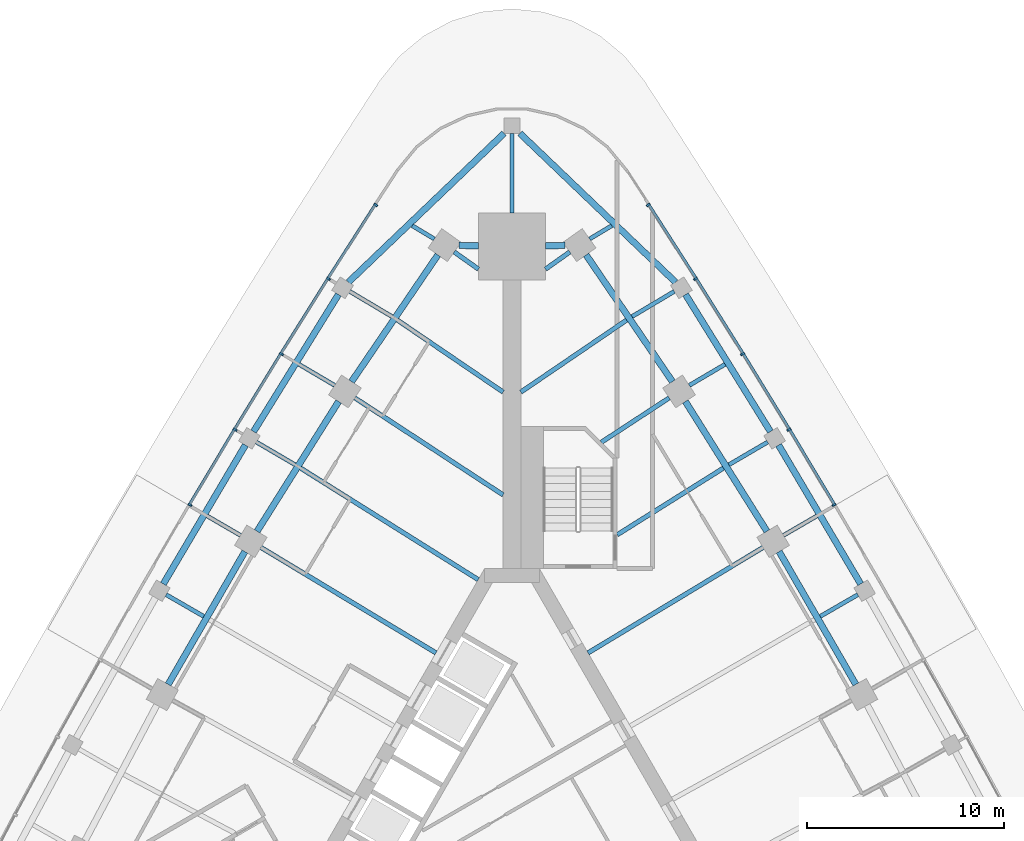
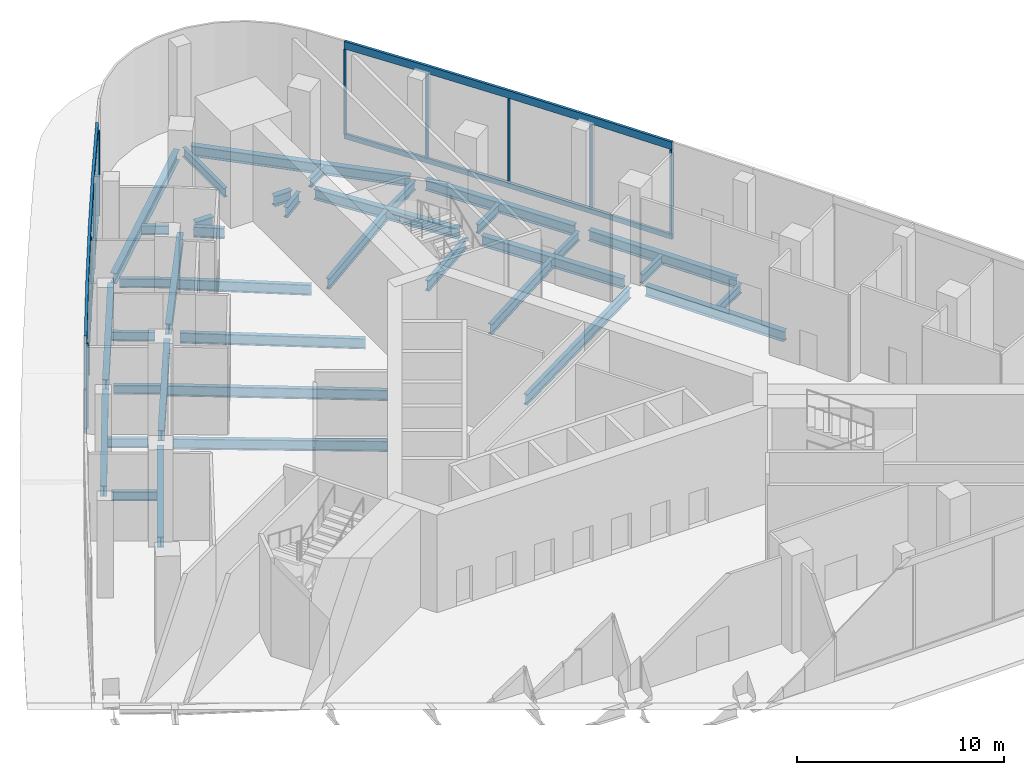
# One storey, part 4 of 14: 37 beams, 14 members, 2 elements without a shape of their own.
"""IFC4 building model written with IfcOpenShell, lengths in metres."""

from ifc_helpers import new_model, si_unit, direction, frame, origin, origin_2d, place, context, subcontext, project, spatial, polyline, rectangle, i_section, outline, extrude, material, material_profile, profile_set, type_object, element, aggregate, save


model = new_model("IFC4")

# Units and contexts
model_context = context("Model", 3, precision=1e-05, world=origin(), true_north=direction((0.0, 1.0)))
body_context = subcontext(model_context, "Body", "Model", "MODEL_VIEW")
ifc_project = project(units=[si_unit("LENGTHUNIT", "METRE"), si_unit("AREAUNIT", "SQUARE_METRE"), si_unit("VOLUMEUNIT", "CUBIC_METRE"), si_unit("PLANEANGLEUNIT", "RADIAN"), si_unit("MASSUNIT", "GRAM", prefix="KILO")], contexts=[model_context])

# Site, building, storey
site_placement = place(None, origin())
site = spatial("IfcSite", under=ifc_project, at=site_placement, CompositionType="ELEMENT")
building_placement = place(site_placement, origin())
building = spatial("IfcBuilding", under=site, at=building_placement, Name="Noor Cloister Tower", CompositionType="ELEMENT")
storey_placement = place(building_placement, origin())
storey = spatial("IfcBuildingStorey", under=building, at=storey_placement, Name="L00", CompositionType="ELEMENT", Elevation=0.0)

# Curtain wall, member
ifc_material_1 = material(Name="Aluminium 6063-T6 anodised", Category="aluminium")
curtain_wall_type = type_object("IfcCurtainWallType", Name="Station shopfront CW4", PredefinedType="NOTDEFINED", material=ifc_material_1)
curtain_wall_1_placement = place(storey_placement, origin())
curtain_wall_1 = element("IfcCurtainWall", 1, at=curtain_wall_1_placement, inside=storey, type_object=curtain_wall_type, Name="CW4 L00 NW shopfront 1", PredefinedType="NOTDEFINED")
ifc_material_2 = material(Name="Aluminium 6063-T6 anodised", Category="aluminium")
member_type_1 = type_object("IfcMemberType", Name="Head transom CW4 450", PredefinedType="USERDEFINED", material=ifc_material_2)
member_1_placement = place(storey_placement, frame((0.0, 0.0, 5.300048828125)))
member_1 = element("IfcMember", 2, at=member_1_placement, type_object=member_type_1, Name="CW4 head transom", ObjectType="TRANSOM", PredefinedType="USERDEFINED", context=body_context, shape_type="SweptSolid", body=[
    extrude(outline(polyline([(-6.96728515625, 29.991943359375), (-9.394775390625, 26.202880859375), (-11.783447265625, 22.38916015625), (-14.1328125, 18.551025390625), (-16.4423828125, 14.689208984375), (-16.322265625, 14.6171875), (-14.012939453125, 18.478515625), (-11.664306640625, 22.3154296875), (-9.276611328125, 26.1279296875), (-6.849365234375, 29.916259765625), (-6.96728515625, 29.991943359375)])), origin(), (0.0, 0.0, 1.0), 0.449951171875),
])

curtain_wall_2_placement = place(storey_placement, origin())
curtain_wall_2 = element("IfcCurtainWall", 3, at=curtain_wall_2_placement, inside=storey, type_object=curtain_wall_type, Name="CW4 L00 NE shopfront 10", PredefinedType="NOTDEFINED")
member_2_placement = place(storey_placement, frame((0.0, 0.0, 5.300048828125)))
member_2 = element("IfcMember", 4, at=member_2_placement, type_object=member_type_1, Name="CW4 head transom", ObjectType="TRANSOM", PredefinedType="USERDEFINED", context=body_context, shape_type="SweptSolid", body=[
    extrude(outline(polyline([(16.4423828125, 14.689208984375), (14.1328125, 18.551025390625), (11.783447265625, 22.38916015625), (9.394775390625, 26.202880859375), (6.96728515625, 29.991943359375), (6.849365234375, 29.916259765625), (9.276611328125, 26.1279296875), (11.664306640625, 22.3154296875), (14.012939453125, 18.478515625), (16.322265625, 14.6171875), (16.4423828125, 14.689208984375)])), origin(), (0.0, 0.0, 1.0), 0.449951171875),
])

# Member
ifc_material_3 = material(Name="Aluminium 6063-T6 anodised", Category="aluminium")
ifc_material_profile_1 = material_profile(ifc_material_3, rectangle(XDim=0.199951171875, YDim=0.10009765625, at=origin_2d()), Name="200 x 100 mullion")
ifc_profile_set_1 = profile_set([ifc_material_profile_1], Name="Aluminium 6063-T6 anodised")
member_type_2 = type_object("IfcMemberType", Name="Mullion CW4 100 x 200", PredefinedType="MULLION", material=ifc_profile_set_1)
member_3_placement = place(storey_placement, frame((-6.909912109375, 29.895751953125, 0.300048828125), z_axis=(0.0, 0.0, 1.0), x_axis=(0.842003189927, -0.539472546245, 0.0)))
member_3 = element("IfcMember", 5, at=member_3_placement, type_object=member_type_2, Name="CW4 mullion 1", PredefinedType="MULLION", context=body_context, shape_type="SweptSolid", body=[
    extrude(rectangle(XDim=0.199951171875, YDim=0.10009765625, at=origin_2d()), origin(), (0.0, 0.0, 1.0), 5.0),
])

member_4_placement = place(storey_placement, frame((-9.310302734375, 26.1494140625, 0.300048828125), z_axis=(0.0, 0.0, 1.0), x_axis=(0.844762083046, -0.535142058754, 0.0)))
member_4 = element("IfcMember", 6, at=member_4_placement, type_object=member_type_2, Name="CW4 mullion 2", PredefinedType="MULLION", context=body_context, shape_type="SweptSolid", body=[
    extrude(rectangle(XDim=0.199951171875, YDim=0.10009765625, at=origin_2d()), origin(), (0.0, 0.0, 1.0), 5.0),
])

member_5_placement = place(storey_placement, frame((-11.698486328125, 22.33642578125, 0.300048828125), z_axis=(0.0, 0.0, 1.0), x_axis=(0.850212963282, -0.526438901553, 0.0)))
member_5 = element("IfcMember", 7, at=member_5_placement, type_object=member_type_2, Name="CW4 mullion 3", PredefinedType="MULLION", context=body_context, shape_type="SweptSolid", body=[
    extrude(rectangle(XDim=0.199951171875, YDim=0.10009765625, at=origin_2d()), origin(), (0.0, 0.0, 1.0), 5.0),
])

member_6_placement = place(storey_placement, frame((-14.047119140625, 18.499267578125, 0.300048828125), z_axis=(0.0, 0.0, 1.0), x_axis=(0.855574191609, -0.51768021273, 0.0)))
member_6 = element("IfcMember", 8, at=member_6_placement, type_object=member_type_2, Name="CW4 mullion 4", PredefinedType="MULLION", context=body_context, shape_type="SweptSolid", body=[
    extrude(rectangle(XDim=0.199951171875, YDim=0.10009765625, at=origin_2d()), origin(), (0.0, 0.0, 1.0), 5.0),
])

member_7_placement = place(storey_placement, frame((-16.3310546875, 14.6806640625, 0.300048828125), z_axis=(0.0, 0.0, 1.0), x_axis=(0.858221001273, -0.5132803454, 0.0)))
member_7 = element("IfcMember", 9, at=member_7_placement, type_object=member_type_2, Name="CW4 mullion 5", PredefinedType="MULLION", context=body_context, shape_type="SweptSolid", body=[
    extrude(rectangle(XDim=0.199951171875, YDim=0.10009765625, at=origin_2d()), origin(), (0.0, 0.0, 1.0), 5.0),
])

member_8_placement = place(storey_placement, frame((16.3310546875, 14.6806640625, 0.300048828125), z_axis=(0.0, 0.0, 1.0), x_axis=(-0.858221001273, -0.5132803454, 0.0)))
member_8 = element("IfcMember", 10, at=member_8_placement, type_object=member_type_2, Name="CW4 mullion 1", PredefinedType="MULLION", context=body_context, shape_type="SweptSolid", body=[
    extrude(rectangle(XDim=0.199951171875, YDim=0.10009765625, at=origin_2d()), origin(), (0.0, 0.0, 1.0), 5.0),
])

member_9_placement = place(storey_placement, frame((14.047119140625, 18.499267578125, 0.300048828125), z_axis=(0.0, 0.0, 1.0), x_axis=(-0.855574191609, -0.51768021273, 0.0)))
member_9 = element("IfcMember", 11, at=member_9_placement, type_object=member_type_2, Name="CW4 mullion 2", PredefinedType="MULLION", context=body_context, shape_type="SweptSolid", body=[
    extrude(rectangle(XDim=0.199951171875, YDim=0.10009765625, at=origin_2d()), origin(), (0.0, 0.0, 1.0), 5.0),
])

member_10_placement = place(storey_placement, frame((11.698486328125, 22.33642578125, 0.300048828125), z_axis=(0.0, 0.0, 1.0), x_axis=(-0.850212963282, -0.526438901553, 0.0)))
member_10 = element("IfcMember", 12, at=member_10_placement, type_object=member_type_2, Name="CW4 mullion 3", PredefinedType="MULLION", context=body_context, shape_type="SweptSolid", body=[
    extrude(rectangle(XDim=0.199951171875, YDim=0.10009765625, at=origin_2d()), origin(), (0.0, 0.0, 1.0), 5.0),
])

member_11_placement = place(storey_placement, frame((9.310302734375, 26.1494140625, 0.300048828125), z_axis=(0.0, 0.0, 1.0), x_axis=(-0.844762083046, -0.535142058754, 0.0)))
member_11 = element("IfcMember", 13, at=member_11_placement, type_object=member_type_2, Name="CW4 mullion 4", PredefinedType="MULLION", context=body_context, shape_type="SweptSolid", body=[
    extrude(rectangle(XDim=0.199951171875, YDim=0.10009765625, at=origin_2d()), origin(), (0.0, 0.0, 1.0), 5.0),
])

member_12_placement = place(storey_placement, frame((6.909912109375, 29.895751953125, 0.300048828125), z_axis=(0.0, 0.0, 1.0), x_axis=(-0.842003189927, -0.539472546245, 0.0)))
member_12 = element("IfcMember", 14, at=member_12_placement, type_object=member_type_2, Name="CW4 mullion 5", PredefinedType="MULLION", context=body_context, shape_type="SweptSolid", body=[
    extrude(rectangle(XDim=0.199951171875, YDim=0.10009765625, at=origin_2d()), origin(), (0.0, 0.0, 1.0), 5.0),
])

# Beams
ifc_material_4 = material(Name="Steel ASTM A992 Gr 50", Category="steel")
ifc_material_profile_2 = material_profile(ifc_material_4, i_section(OverallWidth=0.324951171875, OverallDepth=0.612060546875, WebThickness=0.0126953125, FlangeThickness=0.01904296875, FilletRadius=0.0126953125, at=origin_2d()), Name="W610x155")
ifc_profile_set_2 = profile_set([ifc_material_profile_2], Name="Steel ASTM A992 Gr 50")
beam_type_1 = type_object("IfcBeamType", Name="Podium column line beam W610x155", PredefinedType="BEAM", material=ifc_profile_set_2)
for number, where, z_axis, x_axis, name in (
    (15, (-3.7587890625, 27.36376953125, -0.555908203125), (-0.562836146896, -0.826568491867, 0.0), (0.826568491867, -0.562836146896, 0.0), "Podium column line beam NW 00 L00"),
    (16, (-8.7939453125, 19.9296875, -0.555908203125), (-0.531794830589, -0.846873224373, 0.0), (0.846873224373, -0.531794830589, 0.0), "Podium column line beam NW 02 L00"),
):
    element("IfcBeam", number, at=place(storey_placement, frame(where, z_axis=z_axis, x_axis=x_axis)), inside=storey, type_object=beam_type_1, Name=name, PredefinedType="BEAM", context=body_context, shape_type="SweptSolid", body=[
        extrude(i_section(OverallWidth=0.324951171875, OverallDepth=0.612060546875, WebThickness=0.0126953125, FlangeThickness=0.01904296875, FilletRadius=0.0126953125, at=origin_2d()), origin(), (0.0, 0.0, 1.0), 7.77880859375),
    ])
for number, where, z_axis, x_axis, name in (
    (17, (-13.5498046875, 12.314208984375, -0.555908203125), (-0.499990506207, -0.866030884959, 0.0), (0.866030884959, -0.499990506207, 0.0), "Podium column line beam NW 04 L00"),
    (18, (17.439208984375, 5.577392578125, -0.555908203125), (-0.499990506207, 0.866030884959, 0.0), (-0.866030884959, -0.499990506207, 0.0), "Podium column line beam NE 04 L00"),
):
    element("IfcBeam", number, at=place(storey_placement, frame(where, z_axis=z_axis, x_axis=x_axis)), inside=storey, type_object=beam_type_1, Name=name, PredefinedType="BEAM", context=body_context, shape_type="SweptSolid", body=[
        extrude(i_section(OverallWidth=0.324951171875, OverallDepth=0.612060546875, WebThickness=0.0126953125, FlangeThickness=0.01904296875, FilletRadius=0.0126953125, at=origin_2d()), origin(), (0.0, 0.0, 1.0), 7.779052734375),
    ])
for number, where, z_axis, x_axis, name in (
    (19, (12.9306640625, 13.342041015625, -0.555908203125), (-0.531794830589, 0.846873224373, 0.0), (-0.846873224373, -0.531794830589, 0.0), "Podium column line beam NE 06 L00"),
    (20, (8.136962890625, 20.93408203125, -0.555908203125), (-0.562836146896, 0.826568491867, 0.0), (-0.826568491867, -0.562836146896, 0.0), "Podium column line beam NE 08 L00"),
):
    element("IfcBeam", number, at=place(storey_placement, frame(where, z_axis=z_axis, x_axis=x_axis)), inside=storey, type_object=beam_type_1, Name=name, PredefinedType="BEAM", context=body_context, shape_type="SweptSolid", body=[
        extrude(i_section(OverallWidth=0.324951171875, OverallDepth=0.612060546875, WebThickness=0.0126953125, FlangeThickness=0.01904296875, FilletRadius=0.0126953125, at=origin_2d()), origin(), (0.0, 0.0, 1.0), 7.77880859375),
    ])
for number, where, z_axis, x_axis, name in (
    (21, (-2.6962890625, 27.8447265625, -0.555908203125), (0.999788233423, -0.020578831563, 0.0), (0.020578831563, 0.999788233423, 0.0), "Podium end beam NW 00 L00"),
    (22, (2.6962890625, 27.8447265625, -0.555908203125), (-0.999788233423, -0.020578831563, 0.0), (0.020578831563, -0.999788233423, 0.0), "Podium end beam NE 10 L00"),
):
    element("IfcBeam", number, at=place(storey_placement, frame(where, z_axis=z_axis, x_axis=x_axis)), inside=storey, type_object=beam_type_1, Name=name, PredefinedType="BEAM", context=body_context, shape_type="SweptSolid", body=[
        extrude(i_section(OverallWidth=0.324951171875, OverallDepth=0.612060546875, WebThickness=0.0126953125, FlangeThickness=0.01904296875, FilletRadius=0.0126953125, at=origin_2d()), origin(), (0.0, 0.0, 1.0), 0.99658203125),
    ])
ifc_material_5 = material(Name="Steel ASTM A992 Gr 50", Category="steel")
ifc_material_profile_3 = material_profile(ifc_material_5, i_section(OverallWidth=0.324951171875, OverallDepth=0.616943359375, WebThickness=0.013916015625, FlangeThickness=0.021484375, FilletRadius=0.0126953125, at=origin_2d()), Name="W610x174")
ifc_profile_set_3 = profile_set([ifc_material_profile_3], Name="Steel ASTM A992 Gr 50")
beam_type_2 = type_object("IfcBeamType", Name="Podium perimeter beam W610x174", PredefinedType="BEAM", material=ifc_profile_set_3)
beam_1_placement = place(storey_placement, frame((-0.39990234375, 33.530517578125, -0.55859375), z_axis=(-0.722642827837, -0.691221631154, 0.0), x_axis=(0.691221631154, -0.722642827837, 0.0)))
element("IfcBeam", 23, at=beam_1_placement, inside=storey, type_object=beam_type_2, Name="Podium perimeter beam 01 L00", PredefinedType="BEAM", context=body_context, shape_type="SweptSolid", body=[
    extrude(i_section(OverallWidth=0.324951171875, OverallDepth=0.616943359375, WebThickness=0.013916015625, FlangeThickness=0.021484375, FilletRadius=0.0126953125, at=origin_2d()), origin(), (0.0, 0.0, 1.0), 10.924560546875),
])
beam_2_placement = place(storey_placement, frame((-8.802978515625, 25.3544921875, -0.55859375), z_axis=(-0.526431670639, -0.85021744051, 0.0), x_axis=(0.85021744051, -0.526431670639, 0.0)))
element("IfcBeam", 24, at=beam_2_placement, inside=storey, type_object=beam_type_2, Name="Podium perimeter beam 02 L00", PredefinedType="BEAM", context=body_context, shape_type="SweptSolid", body=[
    extrude(i_section(OverallWidth=0.324951171875, OverallDepth=0.616943359375, WebThickness=0.013916015625, FlangeThickness=0.021484375, FilletRadius=0.0126953125, at=origin_2d()), origin(), (0.0, 0.0, 1.0), 8.180419921875),
])
for number, where, z_axis, x_axis, name in (
    (25, (-13.5234375, 17.71484375, -0.55859375), (-0.508871084259, -0.860842738022, 0.0), (0.860842738022, -0.508871084259, 0.0), "Podium perimeter beam 03 L00"),
    (26, (17.68603515625, 10.673095703125, -0.55859375), (-0.508871084259, 0.860842738022, 0.0), (-0.860842738022, -0.508871084259, 0.0), "Podium perimeter beam 16 L00"),
):
    element("IfcBeam", number, at=place(storey_placement, frame(where, z_axis=z_axis, x_axis=x_axis)), inside=storey, type_object=beam_type_2, Name=name, PredefinedType="BEAM", context=body_context, shape_type="SweptSolid", body=[
        extrude(i_section(OverallWidth=0.324951171875, OverallDepth=0.616943359375, WebThickness=0.013916015625, FlangeThickness=0.021484375, FilletRadius=0.0126953125, at=origin_2d()), origin(), (0.0, 0.0, 1.0), 8.18017578125),
    ])
beam_3_placement = place(storey_placement, frame((13.109375, 18.3994140625, -0.55859375), z_axis=(-0.526431670639, 0.85021744051, 0.0), x_axis=(-0.85021744051, -0.526431670639, 0.0)))
element("IfcBeam", 27, at=beam_3_placement, inside=storey, type_object=beam_type_2, Name="Podium perimeter beam 17 L00", PredefinedType="BEAM", context=body_context, shape_type="SweptSolid", body=[
    extrude(i_section(OverallWidth=0.324951171875, OverallDepth=0.616943359375, WebThickness=0.013916015625, FlangeThickness=0.021484375, FilletRadius=0.0126953125, at=origin_2d()), origin(), (0.0, 0.0, 1.0), 8.180419921875),
])
beam_4_placement = place(storey_placement, frame((8.29443359375, 25.979248046875, -0.55859375), z_axis=(-0.722642827837, 0.691221631154, 0.0), x_axis=(-0.691221631154, -0.722642827837, 0.0)))
element("IfcBeam", 28, at=beam_4_placement, inside=storey, type_object=beam_type_2, Name="Podium perimeter beam 18 L00", PredefinedType="BEAM", context=body_context, shape_type="SweptSolid", body=[
    extrude(i_section(OverallWidth=0.324951171875, OverallDepth=0.616943359375, WebThickness=0.013916015625, FlangeThickness=0.021484375, FilletRadius=0.0126953125, at=origin_2d()), origin(), (0.0, 0.0, 1.0), 10.924560546875),
])
ifc_material_6 = material(Name="Steel ASTM A992 Gr 50", Category="steel")
ifc_material_profile_4 = material_profile(ifc_material_6, i_section(OverallWidth=0.22900390625, OverallDepth=0.612060546875, WebThickness=0.011962890625, FlangeThickness=0.01953125, FilletRadius=0.0126953125, at=origin_2d()), Name="W610x125")
ifc_profile_set_4 = profile_set([ifc_material_profile_4], Name="Steel ASTM A992 Gr 50")
beam_type_3 = type_object("IfcBeamType", Name="Podium radial beam W610x125", PredefinedType="BEAM", material=ifc_profile_set_4)
beam_5_placement = place(storey_placement, frame((-2.931396484375, 27.512939453125, -0.555908203125), z_axis=(0.816011763041, -0.578035295271, 0.0), x_axis=(0.578035295271, 0.816011763041, 0.0)))
element("IfcBeam", 29, at=beam_5_placement, inside=storey, type_object=beam_type_3, Name="Podium radial beam NW 00 L00", PredefinedType="BEAM", context=body_context, shape_type="SweptSolid", body=[
    extrude(i_section(OverallWidth=0.22900390625, OverallDepth=0.612060546875, WebThickness=0.011962890625, FlangeThickness=0.01953125, FilletRadius=0.0126953125, at=origin_2d()), origin(), (0.0, 0.0, 1.0), 1.509033203125),
])
beam_6_placement = place(storey_placement, frame((-5.813720703125, 24.057373046875, -0.555908203125), z_axis=(0.826586958388, -0.562809026423, 0.0), x_axis=(0.562809026423, 0.826586958388, 0.0)))
element("IfcBeam", 30, at=beam_6_placement, inside=storey, type_object=beam_type_3, Name="Podium radial beam NW 01 L00", PredefinedType="BEAM", context=body_context, shape_type="SweptSolid", body=[
    extrude(i_section(OverallWidth=0.22900390625, OverallDepth=0.612060546875, WebThickness=0.011962890625, FlangeThickness=0.01953125, FilletRadius=0.0126953125, at=origin_2d()), origin(), (0.0, 0.0, 1.0), 6.489013671875),
])
beam_7_placement = place(storey_placement, frame((-7.97265625, 20.109619140625, -0.555908203125), z_axis=(0.836869601911, -0.547402292101, 0.0), x_axis=(0.547402292101, 0.836869601911, 0.0)))
element("IfcBeam", 31, at=beam_7_placement, inside=storey, type_object=beam_type_3, Name="Podium radial beam NW 02 L00", PredefinedType="BEAM", context=body_context, shape_type="SweptSolid", body=[
    extrude(i_section(OverallWidth=0.22900390625, OverallDepth=0.612060546875, WebThickness=0.011962890625, FlangeThickness=0.01953125, FilletRadius=0.0126953125, at=origin_2d()), origin(), (0.0, 0.0, 1.0), 8.989013671875),
])
beam_8_placement = place(storey_placement, frame((-10.724609375, 16.549560546875, -0.555908203125), z_axis=(0.846875091453, -0.531791857287, 0.0), x_axis=(0.531791857287, 0.846875091453, 0.0)))
element("IfcBeam", 32, at=beam_8_placement, inside=storey, type_object=beam_type_3, Name="Podium radial beam NW 03 L00", PredefinedType="BEAM", context=body_context, shape_type="SweptSolid", body=[
    extrude(i_section(OverallWidth=0.22900390625, OverallDepth=0.612060546875, WebThickness=0.011962890625, FlangeThickness=0.01953125, FilletRadius=0.0126953125, at=origin_2d()), origin(), (0.0, 0.0, 1.0), 10.6416015625),
])
for number, where, z_axis, x_axis, name in (
    (33, (-12.73583984375, 12.524169921875, -0.555908203125), (0.856606308575, -0.515970572911, 0.0), (0.515970572911, 0.856606308575, 0.0), "Podium radial beam NW 04 L00"),
    (34, (12.73583984375, 12.524169921875, -0.555908203125), (-0.856606308575, -0.515970572911, 0.0), (0.515970572911, -0.856606308575, 0.0), "Podium radial beam NE 06 L00"),
):
    element("IfcBeam", number, at=place(storey_placement, frame(where, z_axis=z_axis, x_axis=x_axis)), inside=storey, type_object=beam_type_3, Name=name, PredefinedType="BEAM", context=body_context, shape_type="SweptSolid", body=[
        extrude(i_section(OverallWidth=0.22900390625, OverallDepth=0.612060546875, WebThickness=0.011962890625, FlangeThickness=0.01953125, FilletRadius=0.0126953125, at=origin_2d()), origin(), (0.0, 0.0, 1.0), 10.365234375),
    ])
beam_9_placement = place(storey_placement, frame((10.724609375, 16.549560546875, -0.555908203125), z_axis=(-0.846869093356, -0.531801409098, 0.0), x_axis=(0.531801409098, -0.846869093356, 0.0)))
element("IfcBeam", 35, at=beam_9_placement, inside=storey, type_object=beam_type_3, Name="Podium radial beam NE 07 L00", PredefinedType="BEAM", context=body_context, shape_type="SweptSolid", body=[
    extrude(i_section(OverallWidth=0.22900390625, OverallDepth=0.612060546875, WebThickness=0.011962890625, FlangeThickness=0.01953125, FilletRadius=0.0126953125, at=origin_2d()), origin(), (0.0, 0.0, 1.0), 6.36328125),
])
beam_10_placement = place(storey_placement, frame((7.97265625, 20.109619140625, -0.555908203125), z_axis=(-0.836852408304, -0.547428576816, 0.0), x_axis=(0.547428576816, -0.836852408304, 0.0)))
element("IfcBeam", 36, at=beam_10_placement, inside=storey, type_object=beam_type_3, Name="Podium radial beam NE 08 L00", PredefinedType="BEAM", context=body_context, shape_type="SweptSolid", body=[
    extrude(i_section(OverallWidth=0.22900390625, OverallDepth=0.612060546875, WebThickness=0.011962890625, FlangeThickness=0.01953125, FilletRadius=0.0126953125, at=origin_2d()), origin(), (0.0, 0.0, 1.0), 4.110595703125),
])
beam_11_placement = place(storey_placement, frame((5.813720703125, 24.057373046875, -0.555908203125), z_axis=(-0.826586958388, -0.562809026423, 0.0), x_axis=(0.562809026423, -0.826586958388, 0.0)))
element("IfcBeam", 37, at=beam_11_placement, inside=storey, type_object=beam_type_3, Name="Podium radial beam NE 09 L00", PredefinedType="BEAM", context=body_context, shape_type="SweptSolid", body=[
    extrude(i_section(OverallWidth=0.22900390625, OverallDepth=0.612060546875, WebThickness=0.011962890625, FlangeThickness=0.01953125, FilletRadius=0.0126953125, at=origin_2d()), origin(), (0.0, 0.0, 1.0), 6.489013671875),
])
beam_12_placement = place(storey_placement, frame((2.931396484375, 27.512939453125, -0.555908203125), z_axis=(-0.816011763041, -0.578035295271, 0.0), x_axis=(0.578035295271, -0.816011763041, 0.0)))
element("IfcBeam", 38, at=beam_12_placement, inside=storey, type_object=beam_type_3, Name="Podium radial beam NE 10 L00", PredefinedType="BEAM", context=body_context, shape_type="SweptSolid", body=[
    extrude(i_section(OverallWidth=0.22900390625, OverallDepth=0.612060546875, WebThickness=0.011962890625, FlangeThickness=0.01953125, FilletRadius=0.0126953125, at=origin_2d()), origin(), (0.0, 0.0, 1.0), 1.509033203125),
])
ifc_material_7 = material(Name="Steel ASTM A992 Gr 50", Category="steel")
ifc_material_profile_5 = material_profile(ifc_material_7, i_section(OverallWidth=0.208984375, OverallDepth=0.532958984375, WebThickness=0.01025390625, FlangeThickness=0.015625, FilletRadius=0.0126953125, at=origin_2d()), Name="W530x92")
ifc_profile_set_5 = profile_set([ifc_material_profile_5], Name="Steel ASTM A992 Gr 50")
beam_type_4 = type_object("IfcBeamType", Name="Podium stub beam W530x92", PredefinedType="BEAM", material=ifc_profile_set_5)
beam_13_placement = place(storey_placement, frame((-3.936767578125, 28.169921875, -0.5166015625), z_axis=(-0.85703318355, 0.515261217534, 0.0), x_axis=(-0.515261217534, -0.85703318355, 0.0)))
element("IfcBeam", 39, at=beam_13_placement, inside=storey, type_object=beam_type_4, Name="Podium stub beam NW 00 L00", PredefinedType="BEAM", context=body_context, shape_type="SweptSolid", body=[
    extrude(i_section(OverallWidth=0.208984375, OverallDepth=0.532958984375, WebThickness=0.01025390625, FlangeThickness=0.015625, FilletRadius=0.0126953125, at=origin_2d()), origin(), (0.0, 0.0, 1.0), 1.31298828125),
])
beam_14_placement = place(storey_placement, frame((-6.08642578125, 24.234375, -0.5166015625), z_axis=(-0.859392031869, 0.511317255292, 0.0), x_axis=(-0.511317255292, -0.859392031869, 0.0)))
element("IfcBeam", 40, at=beam_14_placement, inside=storey, type_object=beam_type_4, Name="Podium stub beam NW 01 L00", PredefinedType="BEAM", context=body_context, shape_type="SweptSolid", body=[
    extrude(i_section(OverallWidth=0.208984375, OverallDepth=0.532958984375, WebThickness=0.01025390625, FlangeThickness=0.015625, FilletRadius=0.0126953125, at=origin_2d()), origin(), (0.0, 0.0, 1.0), 2.4990234375),
])
beam_15_placement = place(storey_placement, frame((-8.9921875, 20.7431640625, -0.5166015625), z_axis=(-0.861388026726, 0.507947504583, 0.0), x_axis=(-0.507947504583, -0.861388026726, 0.0)))
element("IfcBeam", 41, at=beam_15_placement, inside=storey, type_object=beam_type_4, Name="Podium stub beam NW 02 L00", PredefinedType="BEAM", context=body_context, shape_type="SweptSolid", body=[
    extrude(i_section(OverallWidth=0.208984375, OverallDepth=0.532958984375, WebThickness=0.01025390625, FlangeThickness=0.015625, FilletRadius=0.0126953125, at=origin_2d()), origin(), (0.0, 0.0, 1.0), 2.104736328125),
])
beam_16_placement = place(storey_placement, frame((-11.001953125, 16.71923828125, -0.5166015625), z_axis=(-0.863117063039, 0.505003896511, 0.0), x_axis=(-0.505003896511, -0.863117063039, 0.0)))
element("IfcBeam", 42, at=beam_16_placement, inside=storey, type_object=beam_type_4, Name="Podium stub beam NW 03 L00", PredefinedType="BEAM", context=body_context, shape_type="SweptSolid", body=[
    extrude(i_section(OverallWidth=0.208984375, OverallDepth=0.532958984375, WebThickness=0.01025390625, FlangeThickness=0.015625, FilletRadius=0.0126953125, at=origin_2d()), origin(), (0.0, 0.0, 1.0), 2.277099609375),
])
beam_17_placement = place(storey_placement, frame((-13.7685546875, 13.13525390625, -0.5166015625), z_axis=(-0.864596671595, 0.502466511786, 0.0), x_axis=(-0.502466511786, -0.864596671595, 0.0)))
element("IfcBeam", 43, at=beam_17_placement, inside=storey, type_object=beam_type_4, Name="Podium stub beam NW 04 L00", PredefinedType="BEAM", context=body_context, shape_type="SweptSolid", body=[
    extrude(i_section(OverallWidth=0.208984375, OverallDepth=0.532958984375, WebThickness=0.01025390625, FlangeThickness=0.015625, FilletRadius=0.0126953125, at=origin_2d()), origin(), (0.0, 0.0, 1.0), 1.95703125),
])
for number, where, z_axis, x_axis, name in (
    (44, (-15.63525390625, 9.027099609375, -0.5166015625), (-0.86602503688, 0.500000635496, 0.0), (-0.500000635496, -0.86602503688, 0.0), "Podium stub beam NW 05 L00"),
    (45, (15.63525390625, 9.027099609375, -0.5166015625), (0.86602503688, 0.500000635496, 0.0), (-0.500000635496, 0.86602503688, 0.0), "Podium stub beam NE 05 L00"),
):
    element("IfcBeam", number, at=place(storey_placement, frame(where, z_axis=z_axis, x_axis=x_axis)), inside=storey, type_object=beam_type_4, Name=name, PredefinedType="BEAM", context=body_context, shape_type="SweptSolid", body=[
        extrude(i_section(OverallWidth=0.208984375, OverallDepth=0.532958984375, WebThickness=0.01025390625, FlangeThickness=0.015625, FilletRadius=0.0126953125, at=origin_2d()), origin(), (0.0, 0.0, 1.0), 2.203125),
    ])
beam_18_placement = place(storey_placement, frame((13.7685546875, 13.13525390625, -0.5166015625), z_axis=(0.864596671595, 0.502466511786, 0.0), x_axis=(-0.502466511786, 0.864596671595, 0.0)))
element("IfcBeam", 46, at=beam_18_placement, inside=storey, type_object=beam_type_4, Name="Podium stub beam NE 06 L00", PredefinedType="BEAM", context=body_context, shape_type="SweptSolid", body=[
    extrude(i_section(OverallWidth=0.208984375, OverallDepth=0.532958984375, WebThickness=0.01025390625, FlangeThickness=0.015625, FilletRadius=0.0126953125, at=origin_2d()), origin(), (0.0, 0.0, 1.0), 1.95703125),
])
beam_19_placement = place(storey_placement, frame((11.001953125, 16.71923828125, -0.5166015625), z_axis=(0.863117063039, 0.505003896511, 0.0), x_axis=(-0.505003896511, 0.863117063039, 0.0)))
element("IfcBeam", 47, at=beam_19_placement, inside=storey, type_object=beam_type_4, Name="Podium stub beam NE 07 L00", PredefinedType="BEAM", context=body_context, shape_type="SweptSolid", body=[
    extrude(i_section(OverallWidth=0.208984375, OverallDepth=0.532958984375, WebThickness=0.01025390625, FlangeThickness=0.015625, FilletRadius=0.0126953125, at=origin_2d()), origin(), (0.0, 0.0, 1.0), 2.277099609375),
])
beam_20_placement = place(storey_placement, frame((8.9921875, 20.7431640625, -0.5166015625), z_axis=(0.861388026726, 0.507947504583, 0.0), x_axis=(-0.507947504583, 0.861388026726, 0.0)))
element("IfcBeam", 48, at=beam_20_placement, inside=storey, type_object=beam_type_4, Name="Podium stub beam NE 08 L00", PredefinedType="BEAM", context=body_context, shape_type="SweptSolid", body=[
    extrude(i_section(OverallWidth=0.208984375, OverallDepth=0.532958984375, WebThickness=0.01025390625, FlangeThickness=0.015625, FilletRadius=0.0126953125, at=origin_2d()), origin(), (0.0, 0.0, 1.0), 2.104736328125),
])
beam_21_placement = place(storey_placement, frame((6.08642578125, 24.234375, -0.5166015625), z_axis=(0.859392031869, 0.511317255292, 0.0), x_axis=(-0.511317255292, 0.859392031869, 0.0)))
element("IfcBeam", 49, at=beam_21_placement, inside=storey, type_object=beam_type_4, Name="Podium stub beam NE 09 L00", PredefinedType="BEAM", context=body_context, shape_type="SweptSolid", body=[
    extrude(i_section(OverallWidth=0.208984375, OverallDepth=0.532958984375, WebThickness=0.01025390625, FlangeThickness=0.015625, FilletRadius=0.0126953125, at=origin_2d()), origin(), (0.0, 0.0, 1.0), 2.4990234375),
])
beam_22_placement = place(storey_placement, frame((3.936767578125, 28.169921875, -0.5166015625), z_axis=(0.85703318355, 0.515261217534, 0.0), x_axis=(-0.515261217534, 0.85703318355, 0.0)))
element("IfcBeam", 50, at=beam_22_placement, inside=storey, type_object=beam_type_4, Name="Podium stub beam NE 10 L00", PredefinedType="BEAM", context=body_context, shape_type="SweptSolid", body=[
    extrude(i_section(OverallWidth=0.208984375, OverallDepth=0.532958984375, WebThickness=0.01025390625, FlangeThickness=0.015625, FilletRadius=0.0126953125, at=origin_2d()), origin(), (0.0, 0.0, 1.0), 1.31298828125),
])
beam_23_placement = place(storey_placement, frame((0.0, 29.489013671875, -0.5166015625), z_axis=(0.0, 1.0, 0.0), x_axis=(-1.0, 0.0, 0.0)))
element("IfcBeam", 51, at=beam_23_placement, inside=storey, type_object=beam_type_4, Name="Podium corner stub beam N L00", PredefinedType="BEAM", context=body_context, shape_type="SweptSolid", body=[
    extrude(i_section(OverallWidth=0.208984375, OverallDepth=0.532958984375, WebThickness=0.01025390625, FlangeThickness=0.015625, FilletRadius=0.0126953125, at=origin_2d()), origin(), (0.0, 0.0, 1.0), 4.024169921875),
])

# Member
ifc_material_8 = material(Name="Aluminium 6063-T6 anodised", Category="aluminium")
member_type_3 = type_object("IfcMemberType", Name="Sill transom CW4 300", PredefinedType="USERDEFINED", material=ifc_material_8)
member_13_placement = place(storey_placement, origin())
member_13 = element("IfcMember", 52, at=member_13_placement, type_object=member_type_3, Name="CW4 sill transom", ObjectType="TRANSOM", PredefinedType="USERDEFINED", context=body_context, shape_type="SweptSolid", body=[
    extrude(outline(polyline([(-6.96728515625, 29.991943359375), (-9.394775390625, 26.202880859375), (-11.783447265625, 22.38916015625), (-14.1328125, 18.551025390625), (-16.4423828125, 14.689208984375), (-16.322265625, 14.6171875), (-14.012939453125, 18.478515625), (-11.664306640625, 22.3154296875), (-9.276611328125, 26.1279296875), (-6.849365234375, 29.916259765625), (-6.96728515625, 29.991943359375)])), origin(), (0.0, 0.0, 1.0), 0.300048828125),
])

aggregate(curtain_wall_1, [member_3, member_4, member_5, member_6, member_7, member_13, member_1])

member_14_placement = place(storey_placement, origin())
member_14 = element("IfcMember", 53, at=member_14_placement, type_object=member_type_3, Name="CW4 sill transom", ObjectType="TRANSOM", PredefinedType="USERDEFINED", context=body_context, shape_type="SweptSolid", body=[
    extrude(outline(polyline([(16.4423828125, 14.689208984375), (14.1328125, 18.551025390625), (11.783447265625, 22.38916015625), (9.394775390625, 26.202880859375), (6.96728515625, 29.991943359375), (6.849365234375, 29.916259765625), (9.276611328125, 26.1279296875), (11.664306640625, 22.3154296875), (14.012939453125, 18.478515625), (16.322265625, 14.6171875), (16.4423828125, 14.689208984375)])), origin(), (0.0, 0.0, 1.0), 0.300048828125),
])

aggregate(curtain_wall_2, [member_8, member_9, member_10, member_11, member_12, member_14, member_2])

save(model, "model.ifc")
